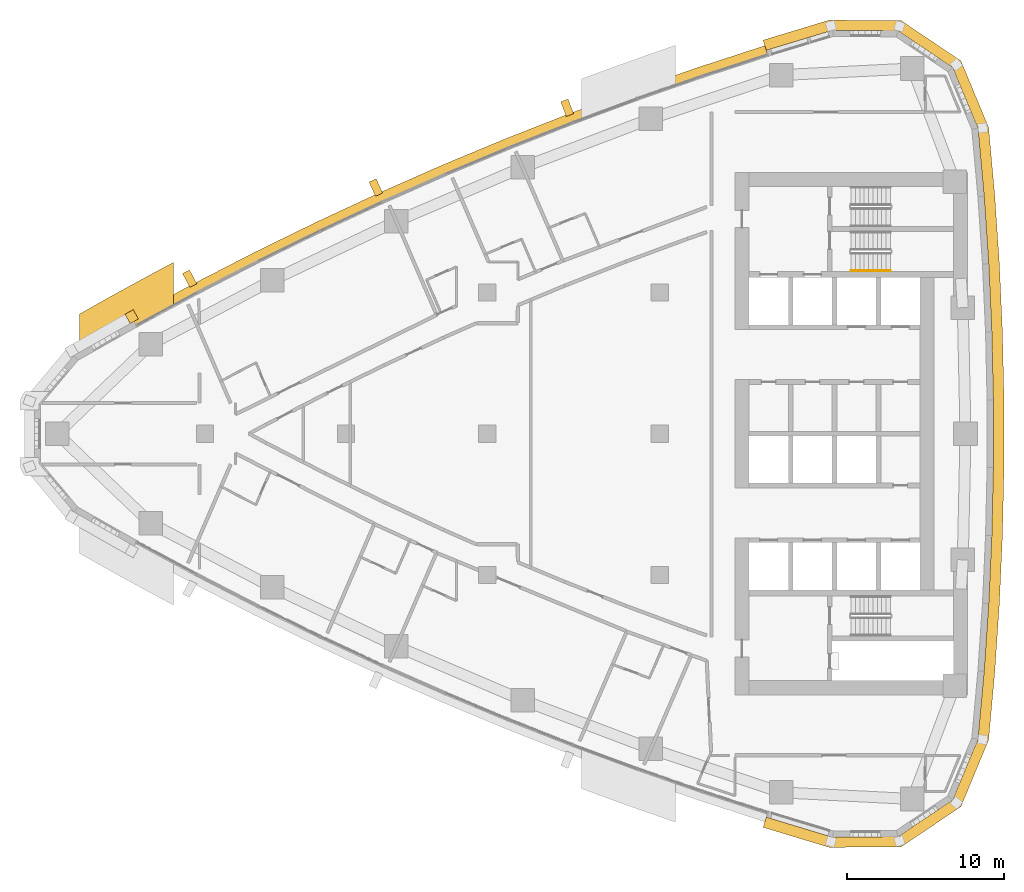
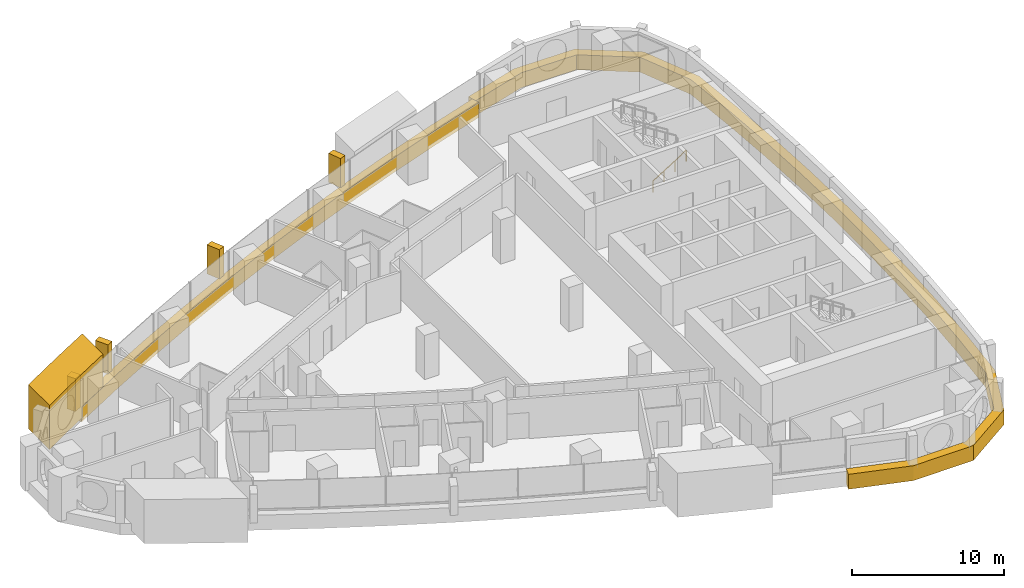
# One storey, part 16 of 17: 7 coverings, 1 railing.
"""IFC4 building model written with IfcOpenShell, lengths in metres."""

from ifc_helpers import new_model, si_unit, direction, frame, frame_2d, origin, origin_2d, place, context, subcontext, project, spatial, polyline, rectangle, circle, outline, extrude, material, layer, layer_set, type_object, element, save


model = new_model("IFC4")

# Units and contexts
model_context = context("Model", 3, precision=1e-05, world=origin(), true_north=direction((0.0, 1.0)))
body_context = subcontext(model_context, "Body", "Model", "MODEL_VIEW")
ifc_project = project(units=[si_unit("LENGTHUNIT", "METRE"), si_unit("AREAUNIT", "SQUARE_METRE"), si_unit("VOLUMEUNIT", "CUBIC_METRE"), si_unit("PLANEANGLEUNIT", "RADIAN"), si_unit("MASSUNIT", "GRAM", prefix="KILO")], contexts=[model_context])

# Site, building, storey
site_placement = place(None, origin())
site = spatial("IfcSite", under=ifc_project, at=site_placement, CompositionType="ELEMENT")
building_placement = place(site_placement, origin())
building = spatial("IfcBuilding", under=site, at=building_placement, Name="Ostrand Prow Hotel Tower", CompositionType="ELEMENT")
storey_placement = place(building_placement, frame((0.0, 0.0, 133.75)))
storey = spatial("IfcBuildingStorey", under=building, at=storey_placement, Name="L32", CompositionType="ELEMENT", Elevation=133.75)

# Coverings
ifc_material_1 = material(Name="Bronze anodised aluminium cladding", Category="aluminium")
ifc_layer_1 = layer(ifc_material_1, 0.60009765625)
ifc_layer_set_1 = layer_set([ifc_layer_1], Name="Bronze anodised aluminium cladding")
covering_type_1 = type_object("IfcCoveringType", Name="Bronze spandrel band 1200x600", PredefinedType="CLADDING", material=ifc_layer_set_1)
covering_1_placement = place(storey_placement, frame((0.0, 0.0, -0.300048828125)))
element("IfcCovering", 1, at=covering_1_placement, inside=storey, type_object=covering_type_1, Name="Spandrel band N1", PredefinedType="CLADDING", context=body_context, shape_type="SweptSolid", body=[
    extrude(outline(polyline([(51.705322265625, 24.74560546875), (47.522705078125, 23.385009765625), (43.368408203125, 21.9404296875), (39.243896484375, 20.41259765625), (35.15087890625, 18.80224609375), (31.091064453125, 17.110107421875), (27.06591796875, 15.336669921875), (23.077392578125, 13.482666015625), (19.126953125, 11.548828125), (15.21630859375, 9.535888671875), (11.3466796875, 7.445068359375), (11.63720703125, 6.920166015625), (15.49609375, 9.00537109375), (19.396240234375, 11.0126953125), (23.335693359375, 12.941162109375), (27.3134765625, 14.7900390625), (31.327392578125, 16.55859375), (35.376220703125, 18.24609375), (39.457763671875, 19.85205078125), (43.571044921875, 21.375732421875), (47.714111328125, 22.81640625), (51.88525390625, 24.17333984375), (51.705322265625, 24.74560546875)])), origin(), (0.0, 0.0, 1.0), 1.199951171875),
])
covering_2_placement = place(storey_placement, frame((0.0, 0.0, -0.300048828125)))
element("IfcCovering", 2, at=covering_2_placement, inside=storey, type_object=covering_type_1, Name="Spandrel band back 1", PredefinedType="CLADDING", context=body_context, shape_type="SweptSolid", body=[
    extrude(outline(polyline([(51.594970703125, -25.0966796875), (55.811279296875, -26.375244140625), (60.402099609375, -26.339111328125), (64.211181640625, -23.77587890625), (65.973388671875, -19.53662109375), (66.3662109375, -15.205322265625), (66.66064453125, -10.86669921875), (66.857177734375, -6.522216796875), (66.95556640625, -2.17431640625), (66.95556640625, 2.17431640625), (66.857177734375, 6.522216796875), (66.66064453125, 10.86669921875), (66.3662109375, 15.205322265625), (65.973388671875, 19.53662109375), (64.211181640625, 23.77587890625), (60.402099609375, 26.339111328125), (55.811279296875, 26.375244140625), (51.594970703125, 25.0966796875), (51.798828125, 24.447998046875), (56.001953125, 25.722412109375), (60.201171875, 25.689697265625), (63.68505859375, 23.34521484375), (65.296875, 19.467529296875), (65.688232421875, 15.151611328125), (65.981689453125, 10.828125), (66.177490234375, 6.4990234375), (66.275634765625, 2.166748046875), (66.275634765625, -2.166748046875), (66.177490234375, -6.4990234375), (65.981689453125, -10.828125), (65.688232421875, -15.151611328125), (65.296875, -19.467529296875), (63.68505859375, -23.34521484375), (60.201171875, -25.689697265625), (56.001953125, -25.722412109375), (51.798828125, -24.447998046875), (51.594970703125, -25.0966796875)])), origin(), (0.0, 0.0, 1.0), 1.199951171875),
])
ifc_material_2 = material(Name="Limestone cladding", Category="masonry")
ifc_layer_2 = layer(ifc_material_2, 5.0)
ifc_layer_set_2 = layer_set([ifc_layer_2], Name="Limestone cladding")
covering_type_2 = type_object("IfcCoveringType", Name="Portal jamb pilaster limestone", PredefinedType="CLADDING", material=ifc_layer_set_2)
covering_3_placement = place(storey_placement, origin())
element("IfcCovering", 3, at=covering_3_placement, inside=storey, type_object=covering_type_2, Name="Portal jamb NA L32", PredefinedType="CLADDING", context=body_context, shape_type="SweptSolid", body=[
    extrude(outline(polyline([(8.0, 4.861572265625), (9.0, 5.436767578125), (10.0, 6.0048828125), (11.0, 6.566162109375), (12.0, 7.12060546875), (13.0, 7.66796875), (14.0, 8.208740234375), (14.0, 10.92919921875), (13.0, 10.39599609375), (12.0, 9.856201171875), (11.0, 9.3095703125), (10.0, 8.75634765625), (9.0, 8.1962890625), (8.0, 7.62939453125), (8.0, 4.861572265625)])), origin(), (0.0, 0.0, 1.0), 3.550048828125),
])
ifc_material_3 = material(Name="Limestone cladding", Category="masonry")
ifc_layer_3 = layer(ifc_material_3, 0.5)
ifc_layer_set_3 = layer_set([ifc_layer_3], Name="Limestone cladding")
covering_type_3 = type_object("IfcCoveringType", Name="Precast stone fin 500x900", PredefinedType="CLADDING", material=ifc_layer_set_3)
covering_4_placement = place(storey_placement, frame((39.279541015625, 20.319091796875, 0.89990234375), z_axis=(0.0, 0.0, 1.0), x_axis=(-0.356868116991, 0.93415477683, 0.0)))
element("IfcCovering", 4, at=covering_4_placement, inside=storey, type_object=covering_type_3, Name="Stone fin N 4", PredefinedType="CLADDING", context=body_context, shape_type="SweptSolid", body=[
    extrude(rectangle(XDim=1.000244140625, YDim=0.5, at=frame_2d((0.5, 0.0))), origin(), (0.0, 0.0, 1.0), 2.35009765625),
])
covering_5_placement = place(storey_placement, frame((27.107177734375, 15.24560546875, 0.89990234375), z_axis=(0.0, 0.0, 1.0), x_axis=(-0.412404328124, 0.911000916654, 0.0)))
element("IfcCovering", 5, at=covering_5_placement, inside=storey, type_object=covering_type_3, Name="Stone fin N 7", PredefinedType="CLADDING", context=body_context, shape_type="SweptSolid", body=[
    extrude(rectangle(XDim=0.999755859375, YDim=0.5, at=frame_2d((0.5, 0.0))), origin(), (0.0, 0.0, 1.0), 2.35009765625),
])
covering_6_placement = place(storey_placement, frame((15.2626953125, 9.447509765625, 0.89990234375), z_axis=(0.0, 0.0, 1.0), x_axis=(-0.466350109869, 0.884600234584, 0.0)))
element("IfcCovering", 6, at=covering_6_placement, inside=storey, type_object=covering_type_3, Name="Stone fin N 10", PredefinedType="CLADDING", context=body_context, shape_type="SweptSolid", body=[
    extrude(rectangle(XDim=1.0, YDim=0.5, at=frame_2d((0.5, 0.0))), origin(), (0.0, 0.0, 1.0), 2.35009765625),
])
ifc_material_4 = material(Name="Limestone cladding", Category="masonry")
ifc_layer_4 = layer(ifc_material_4, 0.60009765625)
ifc_layer_set_4 = layer_set([ifc_layer_4], Name="Limestone cladding")
covering_type_4 = type_object("IfcCoveringType", Name="Precast stone prow rib 600x600", PredefinedType="CLADDING", material=ifc_layer_set_4)
covering_7_placement = place(storey_placement, frame((11.497802734375, 7.171875, 0.60009765625), z_axis=(0.0, 0.0, 1.0), x_axis=(-0.484301161624, 0.874901357211, 0.0)))
element("IfcCovering", 7, at=covering_7_placement, inside=storey, type_object=covering_type_4, Name="Stone prow rib 1", PredefinedType="CLADDING", context=body_context, shape_type="SweptSolid", body=[
    extrude(rectangle(XDim=0.679931640625, YDim=0.60009765625, at=frame_2d((0.33984375, 0.0))), origin(), (0.0, 0.0, 1.0), 2.64990234375),
])

# Railing
ifc_material_5 = material(Name="Stainless steel", Category="steel")
railing_type = type_object("IfcRailingType", Name="Stair handrail 900", PredefinedType="HANDRAIL", material=ifc_material_5)
railing_placement = place(storey_placement, frame((57.199951171875, 10.39990234375, 0.177490234375)))
element("IfcRailing", 8, at=railing_placement, inside=storey, type_object=railing_type, Name="L32 ST1C stair handrail 1", PredefinedType="HANDRAIL", context=body_context, shape_type="SweptSolid", body=[
    extrude(circle(Radius=0.02392578125, at=origin_2d()), frame((0.0, 0.0, 0.8759765625), z_axis=(0.84460694969, 0.0, 0.535386869969), x_axis=(0.0, 1.0, 0.0)), (0.0, 0.0, 1.0), 2.983642578125),
    extrude(circle(Radius=0.02099609375, at=origin_2d()), origin(), (0.0, 0.0, 1.0), 0.851806640625),
    extrude(circle(Radius=0.02099609375, at=origin_2d()), frame((0.840087890625, 0.0, 0.532470703125)), (0.0, 0.0, 1.0), 0.851806640625),
    extrude(circle(Radius=0.02099609375, at=origin_2d()), frame((1.679931640625, 0.0, 1.06494140625)), (0.0, 0.0, 1.0), 0.851806640625),
    extrude(circle(Radius=0.02099609375, at=origin_2d()), frame((2.52001953125, 0.0, 1.597412109375)), (0.0, 0.0, 1.0), 0.851806640625),
])

save(model, "model.ifc")
